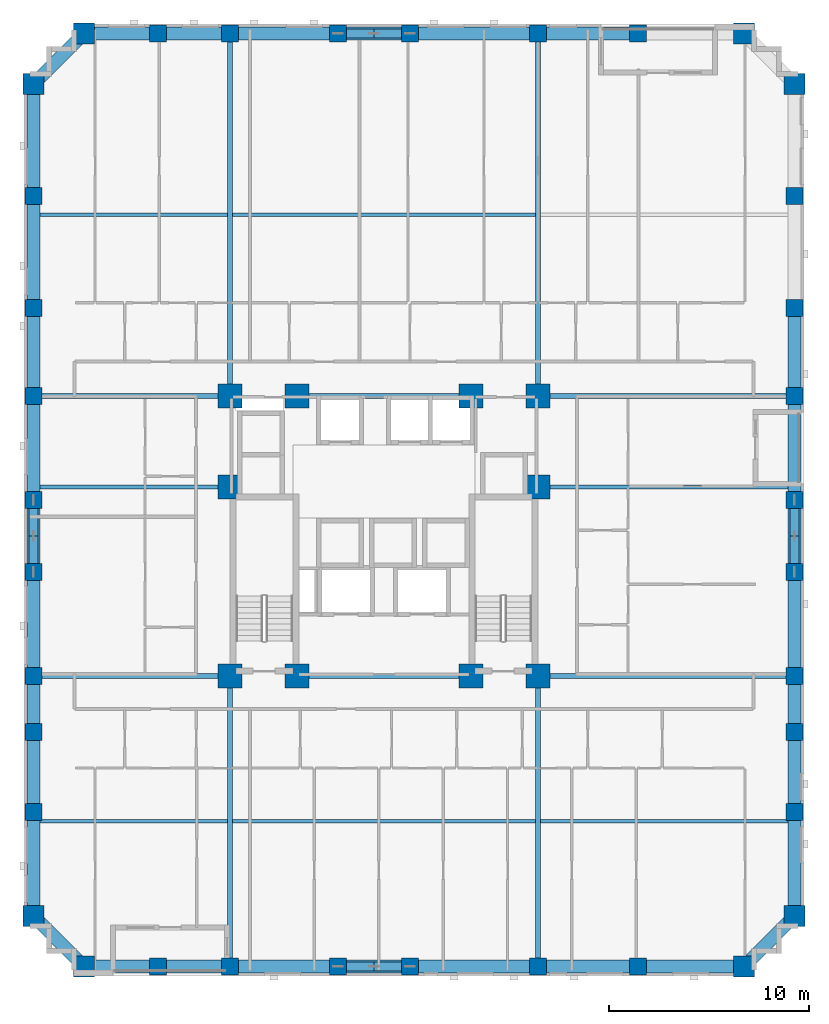
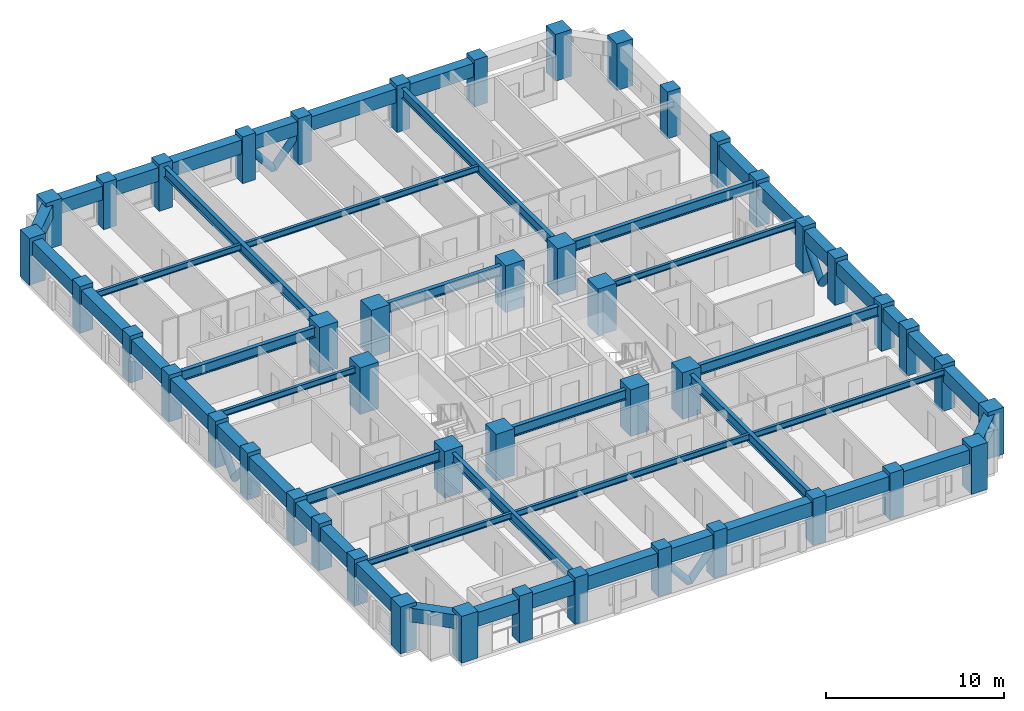
# One storey, part 1 of 14: 49 beams, 46 columns, 8 members.
"""IFC4 building model written with IfcOpenShell, lengths in metres."""

import ifcopenshell
import ifcopenshell.guid

model = None  # the IFC model being written
_history = None  # IfcOwnerHistory: only IFC2X3 demands one
_inside = {}  # id of a spatial element -> (the spatial element, [elements in it])
_under = {}  # id of a project, library or spatial element -> (it, [spatial elements below it])
_declared = {}  # id of a project -> (the project, [libraries it declares])
_typed = {}  # id of a type object -> (the type object, [elements of that type])
_made_of = {}  # id of a material, layer set ... -> (it, [elements and type objects made of it])


def new_model(schema):
    """Start an empty IFC model of exactly this schema.

    Asked for "IFC4X3", IfcOpenShell would pick the latest addendum, in which some entities
    have other attributes; the version numbers below select the first issue.
    IFC2X3 requires an IfcOwnerHistory on every rooted entity: one is made here for all.
    """
    global model, _history
    if schema == "IFC4X3":
        model = ifcopenshell.file(schema_version=(4, 3, 0, 0))
    else:
        model = ifcopenshell.file(schema=schema)
    _inside.clear()
    _under.clear()
    _declared.clear()
    _typed.clear()
    _made_of.clear()
    _history = None
    if model.schema == "IFC2X3":
        org = make("IfcOrganization", Name="unknown")
        user = make(
            "IfcPersonAndOrganization",
            ThePerson=make("IfcPerson", FamilyName="unknown"),
            TheOrganization=org,
        )
        app = make(
            "IfcApplication",
            ApplicationDeveloper=org,
            Version="unknown",
            ApplicationFullName="unknown",
            ApplicationIdentifier="unknown",
        )
        _history = make(
            "IfcOwnerHistory",
            OwningUser=user,
            OwningApplication=app,
            ChangeAction="ADDED",
            CreationDate=0,
        )
    return model


def make(cls, **values):
    """One entity of the class cls with the attributes given. An attribute that is None is left unset."""
    return model.create_entity(
        cls, **{name: value for name, value in values.items() if value is not None}
    )


def rooted(cls, **values):
    """An entity with a GlobalId (a new one), such as an element, a storey or a relation."""
    return make(cls, GlobalId=ifcopenshell.guid.new(), OwnerHistory=_history, **values)


def si_unit(unit_type, name, prefix=None):
    """IfcSIUnit, for example si_unit("LENGTHUNIT", "METRE", prefix="MILLI")."""
    return make("IfcSIUnit", UnitType=unit_type, Prefix=prefix, Name=name)


def derived_unit(unit_type, elements):
    """IfcDerivedUnit: a product of units, each with its exponent."""
    return make(
        "IfcDerivedUnit",
        Elements=[
            make("IfcDerivedUnitElement", Unit=unit, Exponent=power)
            for unit, power in elements
        ],
        UnitType=unit_type,
    )


def assignment(units):
    """IfcUnitAssignment: the units of a project."""
    return None if units is None else make("IfcUnitAssignment", Units=units)


def point(xyz):
    """IfcCartesianPoint."""
    return None if xyz is None else make("IfcCartesianPoint", Coordinates=xyz)


def direction(xyz):
    """IfcDirection."""
    return None if xyz is None else make("IfcDirection", DirectionRatios=xyz)


def frame(location, z_axis=None, x_axis=None):
    """IfcAxis2Placement3D, a coordinate frame: its origin and axes. An axis left out is left unset."""
    return make(
        "IfcAxis2Placement3D",
        Location=point(location),
        Axis=direction(z_axis),
        RefDirection=direction(x_axis),
    )


def frame_2d(location, x_axis=None):
    """IfcAxis2Placement2D, a coordinate frame in the plane: its origin and x axis."""
    return make(
        "IfcAxis2Placement2D", Location=point(location), RefDirection=direction(x_axis)
    )


def origin():
    """The frame at (0, 0, 0) with its axes left unset."""
    return frame((0.0, 0.0, 0.0))


def origin_2d():
    """The frame at (0, 0) in the plane with its x axis left unset."""
    return frame_2d((0.0, 0.0))


def place(relative_to, where):
    """IfcLocalPlacement: puts the frame where relative to a parent placement (None: the world)."""
    return make(
        "IfcLocalPlacement", PlacementRelTo=relative_to, RelativePlacement=where
    )


def context(
    kind, dimensions, precision=None, world=None, true_north=None, identifier=None
):
    """IfcGeometricRepresentationContext, for example the 3D "Model" context."""
    return make(
        "IfcGeometricRepresentationContext",
        ContextIdentifier=identifier,
        ContextType=kind,
        CoordinateSpaceDimension=dimensions,
        Precision=precision,
        WorldCoordinateSystem=world,
        TrueNorth=true_north,
    )


def subcontext(parent, identifier, kind, view, scale=None):
    """IfcGeometricRepresentationSubContext, for example "Body" below "Model"."""
    return make(
        "IfcGeometricRepresentationSubContext",
        ContextIdentifier=identifier,
        ContextType=kind,
        ParentContext=parent,
        TargetScale=scale,
        TargetView=view,
    )


def project(units=None, contexts=None):
    """IfcProject with its units and contexts."""
    return rooted(
        "IfcProject",
        Name="project",
        RepresentationContexts=contexts,
        UnitsInContext=assignment(units),
    )


def spatial(cls, under=None, at=None, **own):
    """A site, building, storey or space (cls), placed at a placement, below another one or the project."""
    s = rooted(cls, ObjectPlacement=at, **own)
    if under is not None:
        _under.setdefault(under.id(), (under, []))[1].append(s)
    return s


def profile(cls, at=None, kind="AREA", **sizes):
    """A parametric profile (cls). Its sizes go by their IFC names, for example OverallWidth=200.0."""
    return make(cls, ProfileType=kind, Position=at, **sizes)


def rectangle(**sizes):
    """IfcRectangleProfileDef."""
    return profile("IfcRectangleProfileDef", **sizes)


def hollow_circle(**sizes):
    """IfcCircleHollowProfileDef."""
    return profile("IfcCircleHollowProfileDef", **sizes)


def i_section(**sizes):
    """IfcIShapeProfileDef."""
    return profile("IfcIShapeProfileDef", **sizes)


def extrude(swept, where, along, depth):
    """IfcExtrudedAreaSolid: the profile swept, set in the frame where, extruded along a direction by depth."""
    return make(
        "IfcExtrudedAreaSolid",
        SweptArea=swept,
        Position=where,
        ExtrudedDirection=direction(along),
        Depth=depth,
    )


def shape(context_of_items, identifier, shape_type, items):
    """IfcShapeRepresentation: the items that make up one representation, for example the "Body"."""
    return make(
        "IfcShapeRepresentation",
        ContextOfItems=context_of_items,
        RepresentationIdentifier=identifier,
        RepresentationType=shape_type,
        Items=items,
    )


def material(Name=None, Category=None):
    """IfcMaterial."""
    return make("IfcMaterial", Name=Name, Category=Category)


def material_profile(
    of_material, cross_section, Name=None, Category=None, Priority=None
):
    """IfcMaterialProfile: a cross section and its material."""
    return make(
        "IfcMaterialProfile",
        Name=Name,
        Material=of_material,
        Profile=cross_section,
        Priority=Priority,
        Category=Category,
    )


def profile_set(profiles, Name=None, composite=None):
    """IfcMaterialProfileSet."""
    return make(
        "IfcMaterialProfileSet",
        Name=Name,
        MaterialProfiles=profiles,
        CompositeProfile=composite,
    )


def made_of(thing, what):
    """Note that an element or type object is made of a material, layer set ...; save() writes the relation."""
    if what is not None:
        _made_of.setdefault(what.id(), (what, []))[1].append(thing)
    return thing


def type_object(cls, material=None, **own):
    """A type object (cls), such as IfcWallType, which elements share."""
    return made_of(rooted(cls, **own), material)


def element(
    cls,
    number,
    at=None,
    inside=None,
    cuts=None,
    type_object=None,
    material=None,
    context=None,
    identifier="Body",
    shape_type=None,
    held_by="IfcProductDefinitionShape",
    body=None,
    shapes=None,
    **own,
):
    """One element of the class cls, such as IfcWall. Its Tag is "e" and its number.

    at: its placement. inside: the storey or other place that contains it. cuts: it is an
    opening in that element (IfcRelVoidsElement). A single representation is given by context,
    identifier, shape_type and body (its items); several are given by shapes. held_by: the class
    of the entity that holds the representations. save() writes the other relations.
    """
    e = rooted(cls, Tag="e%d" % number, ObjectPlacement=at, **own)
    if body is not None:
        shapes = [shape(context, identifier, shape_type, body)]
    if shapes is not None:
        e.Representation = make(held_by, Representations=shapes)
    if inside is not None:
        _inside.setdefault(inside.id(), (inside, []))[1].append(e)
    if cuts is not None:
        rooted(
            "IfcRelVoidsElement", RelatingBuildingElement=cuts, RelatedOpeningElement=e
        )
    if type_object is not None:
        _typed.setdefault(type_object.id(), (type_object, []))[1].append(e)
    return made_of(e, material)


def aggregate(whole, parts):
    """IfcRelAggregates: a whole, such as a stair, and the parts it consists of."""
    return rooted("IfcRelAggregates", RelatingObject=whole, RelatedObjects=parts)


def save(model, path):
    """Write the relations noted so far, then the file.

    IfcRelAggregates (storeys below a building ...), IfcRelContainedInSpatialStructure (elements
    in a storey), IfcRelDefinesByType, IfcRelAssociatesMaterial and IfcRelDeclares: one each for
    every whole, place, type object, material and project.
    """
    for whole, parts in _under.values():
        aggregate(whole, parts)
    for where, things in _inside.values():
        rooted(
            "IfcRelContainedInSpatialStructure",
            RelatedElements=things,
            RelatingStructure=where,
        )
    for kind, things in _typed.values():
        rooted("IfcRelDefinesByType", RelatedObjects=things, RelatingType=kind)
    for what, things in _made_of.values():
        rooted("IfcRelAssociatesMaterial", RelatedObjects=things, RelatingMaterial=what)
    for by, libraries in _declared.values():
        rooted("IfcRelDeclares", RelatingContext=by, RelatedDefinitions=libraries)
    model.write(path)


model = new_model("IFC4")

# Units and contexts
model_context = context("Model", 3, precision=1e-05, world=origin(), true_north=direction((0.0, 1.0)))
body_context = subcontext(model_context, "Body", "Model", "MODEL_VIEW")
ifc_project = project(units=[si_unit("LENGTHUNIT", "METRE"), si_unit("AREAUNIT", "SQUARE_METRE"), si_unit("VOLUMEUNIT", "CUBIC_METRE"), si_unit("PLANEANGLEUNIT", "RADIAN"), si_unit("MASSUNIT", "GRAM", prefix="KILO"), derived_unit("THERMALTRANSMITTANCEUNIT", [(si_unit("MASSUNIT", "GRAM", prefix="KILO"), 1), (si_unit("TIMEUNIT", "SECOND"), -3), (si_unit("THERMODYNAMICTEMPERATUREUNIT", "KELVIN"), -1)])], contexts=[model_context])

# Site, building, storey
site_placement = place(None, origin())
site = spatial("IfcSite", under=ifc_project, at=site_placement, CompositionType="ELEMENT")
building_placement = place(site_placement, origin())
building = spatial("IfcBuilding", under=site, at=building_placement, Name="Korrvale Station Residences", CompositionType="ELEMENT")
storey_placement = place(building_placement, frame((0.0, 0.0, 64.199951171875)))
storey = spatial("IfcBuildingStorey", under=building, at=storey_placement, Name="L17", CompositionType="ELEMENT", Elevation=64.199951171875)

# Columns
ifc_material_1 = material(Name="Concrete C70/85", Category="concrete")
ifc_material_profile_1 = material_profile(ifc_material_1, rectangle(XDim=1.050048828125, YDim=1.050048828125, at=origin_2d()), Name="RC1050x1050")
ifc_profile_set_1 = profile_set([ifc_material_profile_1], Name="Concrete C70/85")
column_type_1 = type_object("IfcColumnType", Name="COL-C-RC1050x1050-C7085", PredefinedType="COLUMN", material=ifc_profile_set_1)
for number, where, z_axis, x_axis, name in (
    (1, (10.5, 0.47998046875, 0.0), (0.0, 0.0, 1.0), (1.0, 0.0, 0.0), "L17 Bundled-Tube South Column 01"),
    (2, (43.5, 0.47998046875, 0.0), (0.0, 0.0, 1.0), (1.0, 0.0, 0.0), "L17 Bundled-Tube South Column 08"),
    (3, (10.5, 47.1201171875, 0.0), (0.0, 0.0, 1.0), (1.0, 0.0, 0.0), "L17 Bundled-Tube North Column 09"),
    (4, (43.5, 47.1201171875, 0.0), (0.0, 0.0, 1.0), (1.0, 0.0, 0.0), "L17 Bundled-Tube North Column 16"),
    (5, (7.97998046875, 3.0, 0.0), (0.0, 0.0, 1.0), (1.0, 0.0, 0.0), "L17 Bundled-Tube West Column 17"),
    (6, (7.97998046875, 44.60009765625, 0.0), (0.0, 0.0, 1.0), (1.0, 0.0, 0.0), "L17 Bundled-Tube West Column 26"),
    (7, (46.02001953125, 3.0, 0.0), (0.0, 0.0, 1.0), (1.0, 0.0, 0.0), "L17 Bundled-Tube East Column 27"),
    (8, (46.02001953125, 44.60009765625, 0.0), (0.0, 0.0, 1.0), (1.0, 0.0, 0.0), "L17 Bundled-Tube East Column 36"),
):
    element("IfcColumn", number, at=place(storey_placement, frame(where, z_axis=z_axis, x_axis=x_axis)), inside=storey, type_object=column_type_1, Name=name, PredefinedType="COLUMN", context=body_context, shape_type="SweptSolid", body=[
        extrude(rectangle(XDim=1.050048828125, YDim=1.050048828125, at=origin_2d()), origin(), (0.0, 0.0, 1.0), 3.199951171875),
    ])
ifc_material_profile_2 = material_profile(ifc_material_1, rectangle(XDim=1.199951171875, YDim=1.199951171875, at=origin_2d()), Name="RC1200x1200")
ifc_profile_set_2 = profile_set([ifc_material_profile_2], Name="Concrete C70/85")
column_type_2 = type_object("IfcColumnType", Name="COL-C-RC1200x1200-C7085", PredefinedType="COLUMN", material=ifc_profile_set_2)
for number, where, z_axis, x_axis, name in (
    (9, (17.800048828125, 15.0, 0.0), (0.0, 0.0, 1.0), (1.0, 0.0, 0.0), "L17 Core Column 01"),
    (10, (21.14990234375, 15.0, 0.0), (0.0, 0.0, 1.0), (1.0, 0.0, 0.0), "L17 Core Column 02"),
    (11, (29.85009765625, 15.0, 0.0), (0.0, 0.0, 1.0), (1.0, 0.0, 0.0), "L17 Core Column 03"),
    (12, (33.199951171875, 15.0, 0.0), (0.0, 0.0, 1.0), (1.0, 0.0, 0.0), "L17 Core Column 04"),
    (13, (17.800048828125, 29.0, 0.0), (0.0, 0.0, 1.0), (1.0, 0.0, 0.0), "L17 Core Column 05"),
    (14, (21.14990234375, 29.0, 0.0), (0.0, 0.0, 1.0), (1.0, 0.0, 0.0), "L17 Core Column 06"),
    (15, (29.85009765625, 29.0, 0.0), (0.0, 0.0, 1.0), (1.0, 0.0, 0.0), "L17 Core Column 07"),
    (16, (33.199951171875, 29.0, 0.0), (0.0, 0.0, 1.0), (1.0, 0.0, 0.0), "L17 Core Column 08"),
    (17, (17.800048828125, 24.449951171875, 0.0), (0.0, 0.0, 1.0), (1.0, 0.0, 0.0), "L17 Core Column 09"),
    (18, (33.199951171875, 24.449951171875, 0.0), (0.0, 0.0, 1.0), (1.0, 0.0, 0.0), "L17 Core Column 10"),
):
    element("IfcColumn", number, at=place(storey_placement, frame(where, z_axis=z_axis, x_axis=x_axis)), inside=storey, type_object=column_type_2, Name=name, PredefinedType="COLUMN", context=body_context, shape_type="SweptSolid", body=[
        extrude(rectangle(XDim=1.199951171875, YDim=1.199951171875, at=origin_2d()), origin(), (0.0, 0.0, 1.0), 3.199951171875),
    ])
ifc_material_profile_3 = material_profile(ifc_material_1, rectangle(XDim=0.85009765625, YDim=0.85009765625, at=origin_2d()), Name="RC850x850")
ifc_profile_set_3 = profile_set([ifc_material_profile_3], Name="Concrete C70/85")
column_type_3 = type_object("IfcColumnType", Name="COL-C-RC850x850-C7085", PredefinedType="COLUMN", material=ifc_profile_set_3)
for number, where, z_axis, x_axis, name in (
    (19, (14.199951171875, 0.47998046875, 0.0), (0.0, 0.0, 1.0), (1.0, 0.0, 0.0), "L17 Bundled-Tube South Column 02"),
    (20, (17.800048828125, 0.47998046875, 0.0), (0.0, 0.0, 1.0), (1.0, 0.0, 0.0), "L17 Bundled-Tube South Column 03"),
    (21, (23.199951171875, 0.47998046875, 0.0), (0.0, 0.0, 1.0), (1.0, 0.0, 0.0), "L17 Bundled-Tube South Column 04"),
    (22, (26.800048828125, 0.47998046875, 0.0), (0.0, 0.0, 1.0), (1.0, 0.0, 0.0), "L17 Bundled-Tube South Column 05"),
    (23, (33.199951171875, 0.47998046875, 0.0), (0.0, 0.0, 1.0), (1.0, 0.0, 0.0), "L17 Bundled-Tube South Column 06"),
    (24, (38.199951171875, 0.47998046875, 0.0), (0.0, 0.0, 1.0), (1.0, 0.0, 0.0), "L17 Bundled-Tube South Column 07"),
    (25, (14.199951171875, 47.1201171875, 0.0), (0.0, 0.0, 1.0), (1.0, 0.0, 0.0), "L17 Bundled-Tube North Column 10"),
    (26, (17.800048828125, 47.1201171875, 0.0), (0.0, 0.0, 1.0), (1.0, 0.0, 0.0), "L17 Bundled-Tube North Column 11"),
    (27, (23.199951171875, 47.1201171875, 0.0), (0.0, 0.0, 1.0), (1.0, 0.0, 0.0), "L17 Bundled-Tube North Column 12"),
    (28, (26.800048828125, 47.1201171875, 0.0), (0.0, 0.0, 1.0), (1.0, 0.0, 0.0), "L17 Bundled-Tube North Column 13"),
    (29, (33.199951171875, 47.1201171875, 0.0), (0.0, 0.0, 1.0), (1.0, 0.0, 0.0), "L17 Bundled-Tube North Column 14"),
    (30, (38.199951171875, 47.1201171875, 0.0), (0.0, 0.0, 1.0), (1.0, 0.0, 0.0), "L17 Bundled-Tube North Column 15"),
    (31, (7.97998046875, 8.199951171875, 0.0), (0.0, 0.0, 1.0), (1.0, 0.0, 0.0), "L17 Bundled-Tube West Column 18"),
    (32, (7.97998046875, 12.199951171875, 0.0), (0.0, 0.0, 1.0), (1.0, 0.0, 0.0), "L17 Bundled-Tube West Column 19"),
    (33, (7.97998046875, 15.0, 0.0), (0.0, 0.0, 1.0), (1.0, 0.0, 0.0), "L17 Bundled-Tube West Column 20"),
    (34, (7.97998046875, 20.199951171875, 0.0), (0.0, 0.0, 1.0), (1.0, 0.0, 0.0), "L17 Bundled-Tube West Column 21"),
    (35, (7.97998046875, 23.800048828125, 0.0), (0.0, 0.0, 1.0), (1.0, 0.0, 0.0), "L17 Bundled-Tube West Column 22"),
    (36, (7.97998046875, 29.0, 0.0), (0.0, 0.0, 1.0), (1.0, 0.0, 0.0), "L17 Bundled-Tube West Column 23"),
    (37, (7.97998046875, 33.39990234375, 0.0), (0.0, 0.0, 1.0), (1.0, 0.0, 0.0), "L17 Bundled-Tube West Column 24"),
    (38, (7.97998046875, 39.0, 0.0), (0.0, 0.0, 1.0), (1.0, 0.0, 0.0), "L17 Bundled-Tube West Column 25"),
    (39, (46.02001953125, 8.199951171875, 0.0), (0.0, 0.0, 1.0), (1.0, 0.0, 0.0), "L17 Bundled-Tube East Column 28"),
    (40, (46.02001953125, 12.199951171875, 0.0), (0.0, 0.0, 1.0), (1.0, 0.0, 0.0), "L17 Bundled-Tube East Column 29"),
    (41, (46.02001953125, 15.0, 0.0), (0.0, 0.0, 1.0), (1.0, 0.0, 0.0), "L17 Bundled-Tube East Column 30"),
    (42, (46.02001953125, 20.199951171875, 0.0), (0.0, 0.0, 1.0), (1.0, 0.0, 0.0), "L17 Bundled-Tube East Column 31"),
    (43, (46.02001953125, 23.800048828125, 0.0), (0.0, 0.0, 1.0), (1.0, 0.0, 0.0), "L17 Bundled-Tube East Column 32"),
    (44, (46.02001953125, 29.0, 0.0), (0.0, 0.0, 1.0), (1.0, 0.0, 0.0), "L17 Bundled-Tube East Column 33"),
    (45, (46.02001953125, 33.39990234375, 0.0), (0.0, 0.0, 1.0), (1.0, 0.0, 0.0), "L17 Bundled-Tube East Column 34"),
    (46, (46.02001953125, 39.0, 0.0), (0.0, 0.0, 1.0), (1.0, 0.0, 0.0), "L17 Bundled-Tube East Column 35"),
):
    element("IfcColumn", number, at=place(storey_placement, frame(where, z_axis=z_axis, x_axis=x_axis)), inside=storey, type_object=column_type_3, Name=name, PredefinedType="COLUMN", context=body_context, shape_type="SweptSolid", body=[
        extrude(rectangle(XDim=0.85009765625, YDim=0.85009765625, at=origin_2d()), origin(), (0.0, 0.0, 1.0), 3.199951171875),
    ])

# Beams
ifc_material_2 = material(Name="Steel S355", Category="steel")
ifc_material_profile_4 = material_profile(ifc_material_2, i_section(OverallWidth=0.256103515625, OverallDepth=0.693115234375, WebThickness=0.014404296875, FlangeThickness=0.023681640625, FilletRadius=0.02197265625, at=origin_2d()), Name="W690x170")
ifc_profile_set_4 = profile_set([ifc_material_profile_4], Name="Steel S355")
beam_type_1 = type_object("IfcBeamType", Name="BM-BM-W690x170-S355", PredefinedType="BEAM", material=ifc_profile_set_4)
for number, where, z_axis, x_axis, name in (
    (47, (17.800048828125, 0.47998046875, 2.593505859375), (0.0, 1.0, 0.0), (-1.0, 0.0, 0.0), "L17 Bundled-Tube Web Girder 01"),
    (48, (33.199951171875, 0.47998046875, 2.593505859375), (0.0, 1.0, 0.0), (-1.0, 0.0, 0.0), "L17 Bundled-Tube Web Girder 02"),
):
    element("IfcBeam", number, at=place(storey_placement, frame(where, z_axis=z_axis, x_axis=x_axis)), inside=storey, type_object=beam_type_1, Name=name, PredefinedType="BEAM", context=body_context, shape_type="SweptSolid", body=[
        extrude(i_section(OverallWidth=0.256103515625, OverallDepth=0.693115234375, WebThickness=0.014404296875, FlangeThickness=0.023681640625, FilletRadius=0.02197265625, at=origin_2d()), origin(), (0.0, 0.0, 1.0), 14.52001953125),
    ])
for number, where, z_axis, x_axis, name in (
    (49, (17.800048828125, 29.0, 2.593505859375), (0.0, 1.0, 0.0), (-1.0, 0.0, 0.0), "L17 Bundled-Tube Web Girder 03"),
    (50, (33.199951171875, 29.0, 2.593505859375), (0.0, 1.0, 0.0), (-1.0, 0.0, 0.0), "L17 Bundled-Tube Web Girder 04"),
):
    element("IfcBeam", number, at=place(storey_placement, frame(where, z_axis=z_axis, x_axis=x_axis)), inside=storey, type_object=beam_type_1, Name=name, PredefinedType="BEAM", context=body_context, shape_type="SweptSolid", body=[
        extrude(i_section(OverallWidth=0.256103515625, OverallDepth=0.693115234375, WebThickness=0.014404296875, FlangeThickness=0.023681640625, FilletRadius=0.02197265625, at=origin_2d()), origin(), (0.0, 0.0, 1.0), 18.1201171875),
    ])
beam_1_placement = place(storey_placement, frame((7.97998046875, 15.0, 2.593505859375), z_axis=(1.0, 0.0, 0.0), x_axis=(0.0, 1.0, 0.0)))
element("IfcBeam", 51, at=beam_1_placement, inside=storey, type_object=beam_type_1, Name="L17 Bundled-Tube Web Girder 05", PredefinedType="BEAM", context=body_context, shape_type="SweptSolid", body=[
    extrude(i_section(OverallWidth=0.256103515625, OverallDepth=0.693115234375, WebThickness=0.014404296875, FlangeThickness=0.023681640625, FilletRadius=0.02197265625, at=origin_2d()), origin(), (0.0, 0.0, 1.0), 9.820068359375),
])
beam_2_placement = place(storey_placement, frame((33.199951171875, 15.0, 2.593505859375), z_axis=(1.0, 0.0, 0.0), x_axis=(0.0, 1.0, 0.0)))
element("IfcBeam", 52, at=beam_2_placement, inside=storey, type_object=beam_type_1, Name="L17 Bundled-Tube Web Girder 06", PredefinedType="BEAM", context=body_context, shape_type="SweptSolid", body=[
    extrude(i_section(OverallWidth=0.256103515625, OverallDepth=0.693115234375, WebThickness=0.014404296875, FlangeThickness=0.023681640625, FilletRadius=0.02197265625, at=origin_2d()), origin(), (0.0, 0.0, 1.0), 12.820068359375),
])
beam_3_placement = place(storey_placement, frame((7.97998046875, 29.0, 2.593505859375), z_axis=(1.0, 0.0, 0.0), x_axis=(0.0, 1.0, 0.0)))
element("IfcBeam", 53, at=beam_3_placement, inside=storey, type_object=beam_type_1, Name="L17 Bundled-Tube Web Girder 07", PredefinedType="BEAM", context=body_context, shape_type="SweptSolid", body=[
    extrude(i_section(OverallWidth=0.256103515625, OverallDepth=0.693115234375, WebThickness=0.014404296875, FlangeThickness=0.023681640625, FilletRadius=0.02197265625, at=origin_2d()), origin(), (0.0, 0.0, 1.0), 9.820068359375),
])
beam_4_placement = place(storey_placement, frame((33.199951171875, 29.0, 2.593505859375), z_axis=(1.0, 0.0, 0.0), x_axis=(0.0, 1.0, 0.0)))
element("IfcBeam", 54, at=beam_4_placement, inside=storey, type_object=beam_type_1, Name="L17 Bundled-Tube Web Girder 08", PredefinedType="BEAM", context=body_context, shape_type="SweptSolid", body=[
    extrude(i_section(OverallWidth=0.256103515625, OverallDepth=0.693115234375, WebThickness=0.014404296875, FlangeThickness=0.023681640625, FilletRadius=0.02197265625, at=origin_2d()), origin(), (0.0, 0.0, 1.0), 12.820068359375),
])
for number, where, z_axis, x_axis, name in (
    (55, (21.14990234375, 15.0, 2.593505859375), (1.0, 0.0, 0.0), (0.0, 1.0, 0.0), "L17 Bundled-Tube Web Girder 09"),
    (56, (21.14990234375, 29.0, 2.593505859375), (1.0, 0.0, 0.0), (0.0, 1.0, 0.0), "L17 Bundled-Tube Web Girder 10"),
):
    element("IfcBeam", number, at=place(storey_placement, frame(where, z_axis=z_axis, x_axis=x_axis)), inside=storey, type_object=beam_type_1, Name=name, PredefinedType="BEAM", context=body_context, shape_type="SweptSolid", body=[
        extrude(i_section(OverallWidth=0.256103515625, OverallDepth=0.693115234375, WebThickness=0.014404296875, FlangeThickness=0.023681640625, FilletRadius=0.02197265625, at=origin_2d()), origin(), (0.0, 0.0, 1.0), 8.7001953125),
    ])
ifc_material_profile_5 = material_profile(ifc_material_2, i_section(OverallWidth=0.180908203125, OverallDepth=0.4169921875, WebThickness=0.010986328125, FlangeThickness=0.018310546875, FilletRadius=0.01611328125, at=origin_2d()), Name="W410x85")
ifc_profile_set_5 = profile_set([ifc_material_profile_5], Name="Steel S355")
beam_type_2 = type_object("IfcBeamType", Name="BM-JST-W410x85-S355", PredefinedType="JOIST", material=ifc_profile_set_5)
beam_5_placement = place(storey_placement, frame((8.304931640625, 7.739990234375, 2.7314453125), z_axis=(1.0, 0.0, 0.0), x_axis=(0.0, 1.0, 0.0)))
element("IfcBeam", 57, at=beam_5_placement, inside=storey, type_object=beam_type_2, Name="L17 Floor Framing Joist 01", PredefinedType="JOIST", context=body_context, shape_type="SweptSolid", body=[
    extrude(i_section(OverallWidth=0.180908203125, OverallDepth=0.4169921875, WebThickness=0.010986328125, FlangeThickness=0.018310546875, FilletRadius=0.01611328125, at=origin_2d()), origin(), (0.0, 0.0, 1.0), 9.3671875),
])
beam_6_placement = place(storey_placement, frame((17.927978515625, 7.739990234375, 2.7314453125), z_axis=(1.0, 0.0, 0.0), x_axis=(0.0, 1.0, 0.0)))
element("IfcBeam", 58, at=beam_6_placement, inside=storey, type_object=beam_type_2, Name="L17 Floor Framing Joist 02", PredefinedType="JOIST", context=body_context, shape_type="SweptSolid", body=[
    extrude(i_section(OverallWidth=0.180908203125, OverallDepth=0.4169921875, WebThickness=0.010986328125, FlangeThickness=0.018310546875, FilletRadius=0.01611328125, at=origin_2d()), origin(), (0.0, 0.0, 1.0), 15.14404296875),
])
beam_7_placement = place(storey_placement, frame((33.327880859375, 7.739990234375, 2.7314453125), z_axis=(1.0, 0.0, 0.0), x_axis=(0.0, 1.0, 0.0)))
element("IfcBeam", 59, at=beam_7_placement, inside=storey, type_object=beam_type_2, Name="L17 Floor Framing Joist 03", PredefinedType="JOIST", context=body_context, shape_type="SweptSolid", body=[
    extrude(i_section(OverallWidth=0.180908203125, OverallDepth=0.4169921875, WebThickness=0.010986328125, FlangeThickness=0.018310546875, FilletRadius=0.01611328125, at=origin_2d()), origin(), (0.0, 0.0, 1.0), 12.3671875),
])
beam_8_placement = place(storey_placement, frame((8.304931640625, 38.06005859375, 2.7314453125), z_axis=(1.0, 0.0, 0.0), x_axis=(0.0, 1.0, 0.0)))
element("IfcBeam", 60, at=beam_8_placement, inside=storey, type_object=beam_type_2, Name="L17 Floor Framing Joist 04", PredefinedType="JOIST", context=body_context, shape_type="SweptSolid", body=[
    extrude(i_section(OverallWidth=0.180908203125, OverallDepth=0.4169921875, WebThickness=0.010986328125, FlangeThickness=0.018310546875, FilletRadius=0.01611328125, at=origin_2d()), origin(), (0.0, 0.0, 1.0), 9.3671875),
])
beam_9_placement = place(storey_placement, frame((17.927978515625, 38.06005859375, 2.7314453125), z_axis=(1.0, 0.0, 0.0), x_axis=(0.0, 1.0, 0.0)))
element("IfcBeam", 61, at=beam_9_placement, inside=storey, type_object=beam_type_2, Name="L17 Floor Framing Joist 05", PredefinedType="JOIST", context=body_context, shape_type="SweptSolid", body=[
    extrude(i_section(OverallWidth=0.180908203125, OverallDepth=0.4169921875, WebThickness=0.010986328125, FlangeThickness=0.018310546875, FilletRadius=0.01611328125, at=origin_2d()), origin(), (0.0, 0.0, 1.0), 15.14404296875),
])
beam_10_placement = place(storey_placement, frame((33.199951171875, 24.449951171875, 2.7314453125), z_axis=(1.0, 0.0, 0.0), x_axis=(0.0, 1.0, 0.0)))
element("IfcBeam", 62, at=beam_10_placement, inside=storey, type_object=beam_type_2, Name="L17 Floor Framing Joist 07", PredefinedType="JOIST", context=body_context, shape_type="SweptSolid", body=[
    extrude(i_section(OverallWidth=0.180908203125, OverallDepth=0.4169921875, WebThickness=0.010986328125, FlangeThickness=0.018310546875, FilletRadius=0.01611328125, at=origin_2d()), origin(), (0.0, 0.0, 1.0), 12.4951171875),
])
beam_11_placement = place(storey_placement, frame((8.304931640625, 24.449951171875, 2.7314453125), z_axis=(1.0, 0.0, 0.0), x_axis=(0.0, 1.0, 0.0)))
element("IfcBeam", 63, at=beam_11_placement, inside=storey, type_object=beam_type_2, Name="L17 Floor Framing Joist 08", PredefinedType="JOIST", context=body_context, shape_type="SweptSolid", body=[
    extrude(i_section(OverallWidth=0.180908203125, OverallDepth=0.4169921875, WebThickness=0.010986328125, FlangeThickness=0.018310546875, FilletRadius=0.01611328125, at=origin_2d()), origin(), (0.0, 0.0, 1.0), 9.4951171875),
])
ifc_material_profile_6 = material_profile(ifc_material_1, rectangle(XDim=0.64990234375, YDim=0.949951171875, at=origin_2d()), Name="RCB650x950")
ifc_profile_set_6 = profile_set([ifc_material_profile_6], Name="Concrete C70/85")
beam_type_3 = type_object("IfcBeamType", Name="BM-SPB-RCB650x950-C7085", PredefinedType="SPANDREL", material=ifc_profile_set_6)
beam_12_placement = place(storey_placement, frame((10.5, 0.47998046875, 2.465087890625), z_axis=(1.0, 0.0, 0.0), x_axis=(0.0, 1.0, 0.0)))
element("IfcBeam", 64, at=beam_12_placement, inside=storey, type_object=beam_type_3, Name="L17 South Tube Spandrel 01", PredefinedType="SPANDREL", context=body_context, shape_type="SweptSolid", body=[
    extrude(rectangle(XDim=0.64990234375, YDim=0.949951171875, at=origin_2d()), origin(), (0.0, 0.0, 1.0), 3.699951171875),
])
beam_13_placement = place(storey_placement, frame((14.199951171875, 0.47998046875, 2.465087890625), z_axis=(1.0, 0.0, 0.0), x_axis=(0.0, 1.0, 0.0)))
element("IfcBeam", 65, at=beam_13_placement, inside=storey, type_object=beam_type_3, Name="L17 South Tube Spandrel 02", PredefinedType="SPANDREL", context=body_context, shape_type="SweptSolid", body=[
    extrude(rectangle(XDim=0.64990234375, YDim=0.949951171875, at=origin_2d()), origin(), (0.0, 0.0, 1.0), 3.60009765625),
])
beam_14_placement = place(storey_placement, frame((17.800048828125, 0.47998046875, 2.465087890625), z_axis=(1.0, 0.0, 0.0), x_axis=(0.0, 1.0, 0.0)))
element("IfcBeam", 66, at=beam_14_placement, inside=storey, type_object=beam_type_3, Name="L17 South Tube Spandrel 03", PredefinedType="SPANDREL", context=body_context, shape_type="SweptSolid", body=[
    extrude(rectangle(XDim=0.64990234375, YDim=0.949951171875, at=origin_2d()), origin(), (0.0, 0.0, 1.0), 5.39990234375),
])
beam_15_placement = place(storey_placement, frame((23.199951171875, 0.47998046875, 2.465087890625), z_axis=(1.0, 0.0, 0.0), x_axis=(0.0, 1.0, 0.0)))
element("IfcBeam", 67, at=beam_15_placement, inside=storey, type_object=beam_type_3, Name="L17 South Tube Spandrel 04", PredefinedType="SPANDREL", context=body_context, shape_type="SweptSolid", body=[
    extrude(rectangle(XDim=0.64990234375, YDim=0.949951171875, at=origin_2d()), origin(), (0.0, 0.0, 1.0), 3.60009765625),
])
beam_16_placement = place(storey_placement, frame((26.800048828125, 0.47998046875, 2.465087890625), z_axis=(1.0, 0.0, 0.0), x_axis=(0.0, 1.0, 0.0)))
element("IfcBeam", 68, at=beam_16_placement, inside=storey, type_object=beam_type_3, Name="L17 South Tube Spandrel 05", PredefinedType="SPANDREL", context=body_context, shape_type="SweptSolid", body=[
    extrude(rectangle(XDim=0.64990234375, YDim=0.949951171875, at=origin_2d()), origin(), (0.0, 0.0, 1.0), 6.39990234375),
])
beam_17_placement = place(storey_placement, frame((33.199951171875, 0.47998046875, 2.465087890625), z_axis=(1.0, 0.0, 0.0), x_axis=(0.0, 1.0, 0.0)))
element("IfcBeam", 69, at=beam_17_placement, inside=storey, type_object=beam_type_3, Name="L17 South Tube Spandrel 06", PredefinedType="SPANDREL", context=body_context, shape_type="SweptSolid", body=[
    extrude(rectangle(XDim=0.64990234375, YDim=0.949951171875, at=origin_2d()), origin(), (0.0, 0.0, 1.0), 5.0),
])
beam_18_placement = place(storey_placement, frame((38.199951171875, 0.47998046875, 2.465087890625), z_axis=(1.0, 0.0, 0.0), x_axis=(0.0, 1.0, 0.0)))
element("IfcBeam", 70, at=beam_18_placement, inside=storey, type_object=beam_type_3, Name="L17 South Tube Spandrel 07", PredefinedType="SPANDREL", context=body_context, shape_type="SweptSolid", body=[
    extrude(rectangle(XDim=0.64990234375, YDim=0.949951171875, at=origin_2d()), origin(), (0.0, 0.0, 1.0), 5.300048828125),
])
beam_19_placement = place(storey_placement, frame((10.5, 47.1201171875, 2.465087890625), z_axis=(1.0, 0.0, 0.0), x_axis=(0.0, 1.0, 0.0)))
element("IfcBeam", 71, at=beam_19_placement, inside=storey, type_object=beam_type_3, Name="L17 North Tube Spandrel 08", PredefinedType="SPANDREL", context=body_context, shape_type="SweptSolid", body=[
    extrude(rectangle(XDim=0.64990234375, YDim=0.949951171875, at=origin_2d()), origin(), (0.0, 0.0, 1.0), 3.699951171875),
])
beam_20_placement = place(storey_placement, frame((14.199951171875, 47.1201171875, 2.465087890625), z_axis=(1.0, 0.0, 0.0), x_axis=(0.0, 1.0, 0.0)))
element("IfcBeam", 72, at=beam_20_placement, inside=storey, type_object=beam_type_3, Name="L17 North Tube Spandrel 09", PredefinedType="SPANDREL", context=body_context, shape_type="SweptSolid", body=[
    extrude(rectangle(XDim=0.64990234375, YDim=0.949951171875, at=origin_2d()), origin(), (0.0, 0.0, 1.0), 3.60009765625),
])
beam_21_placement = place(storey_placement, frame((17.800048828125, 47.1201171875, 2.465087890625), z_axis=(1.0, 0.0, 0.0), x_axis=(0.0, 1.0, 0.0)))
element("IfcBeam", 73, at=beam_21_placement, inside=storey, type_object=beam_type_3, Name="L17 North Tube Spandrel 10", PredefinedType="SPANDREL", context=body_context, shape_type="SweptSolid", body=[
    extrude(rectangle(XDim=0.64990234375, YDim=0.949951171875, at=origin_2d()), origin(), (0.0, 0.0, 1.0), 5.39990234375),
])
beam_22_placement = place(storey_placement, frame((23.199951171875, 47.1201171875, 2.465087890625), z_axis=(1.0, 0.0, 0.0), x_axis=(0.0, 1.0, 0.0)))
element("IfcBeam", 74, at=beam_22_placement, inside=storey, type_object=beam_type_3, Name="L17 North Tube Spandrel 11", PredefinedType="SPANDREL", context=body_context, shape_type="SweptSolid", body=[
    extrude(rectangle(XDim=0.64990234375, YDim=0.949951171875, at=origin_2d()), origin(), (0.0, 0.0, 1.0), 3.60009765625),
])
beam_23_placement = place(storey_placement, frame((26.800048828125, 47.1201171875, 2.465087890625), z_axis=(1.0, 0.0, 0.0), x_axis=(0.0, 1.0, 0.0)))
element("IfcBeam", 75, at=beam_23_placement, inside=storey, type_object=beam_type_3, Name="L17 North Tube Spandrel 12", PredefinedType="SPANDREL", context=body_context, shape_type="SweptSolid", body=[
    extrude(rectangle(XDim=0.64990234375, YDim=0.949951171875, at=origin_2d()), origin(), (0.0, 0.0, 1.0), 6.39990234375),
])
beam_24_placement = place(storey_placement, frame((33.199951171875, 47.1201171875, 2.465087890625), z_axis=(1.0, 0.0, 0.0), x_axis=(0.0, 1.0, 0.0)))
element("IfcBeam", 76, at=beam_24_placement, inside=storey, type_object=beam_type_3, Name="L17 North Tube Spandrel 13", PredefinedType="SPANDREL", context=body_context, shape_type="SweptSolid", body=[
    extrude(rectangle(XDim=0.64990234375, YDim=0.949951171875, at=origin_2d()), origin(), (0.0, 0.0, 1.0), 5.0),
])
beam_25_placement = place(storey_placement, frame((7.97998046875, 3.0, 2.465087890625), z_axis=(0.0, 1.0, 0.0), x_axis=(-1.0, 0.0, 0.0)))
element("IfcBeam", 77, at=beam_25_placement, inside=storey, type_object=beam_type_3, Name="L17 West Tube Spandrel 15", PredefinedType="SPANDREL", context=body_context, shape_type="SweptSolid", body=[
    extrude(rectangle(XDim=0.64990234375, YDim=0.949951171875, at=origin_2d()), origin(), (0.0, 0.0, 1.0), 5.199951171875),
])
beam_26_placement = place(storey_placement, frame((7.97998046875, 8.199951171875, 2.465087890625), z_axis=(0.0, 1.0, 0.0), x_axis=(-1.0, 0.0, 0.0)))
element("IfcBeam", 78, at=beam_26_placement, inside=storey, type_object=beam_type_3, Name="L17 West Tube Spandrel 16", PredefinedType="SPANDREL", context=body_context, shape_type="SweptSolid", body=[
    extrude(rectangle(XDim=0.64990234375, YDim=0.949951171875, at=origin_2d()), origin(), (0.0, 0.0, 1.0), 4.0),
])
beam_27_placement = place(storey_placement, frame((7.97998046875, 12.199951171875, 2.465087890625), z_axis=(0.0, 1.0, 0.0), x_axis=(-1.0, 0.0, 0.0)))
element("IfcBeam", 79, at=beam_27_placement, inside=storey, type_object=beam_type_3, Name="L17 West Tube Spandrel 17", PredefinedType="SPANDREL", context=body_context, shape_type="SweptSolid", body=[
    extrude(rectangle(XDim=0.64990234375, YDim=0.949951171875, at=origin_2d()), origin(), (0.0, 0.0, 1.0), 2.800048828125),
])
beam_28_placement = place(storey_placement, frame((7.97998046875, 15.0, 2.465087890625), z_axis=(0.0, 1.0, 0.0), x_axis=(-1.0, 0.0, 0.0)))
element("IfcBeam", 80, at=beam_28_placement, inside=storey, type_object=beam_type_3, Name="L17 West Tube Spandrel 18", PredefinedType="SPANDREL", context=body_context, shape_type="SweptSolid", body=[
    extrude(rectangle(XDim=0.64990234375, YDim=0.949951171875, at=origin_2d()), origin(), (0.0, 0.0, 1.0), 5.199951171875),
])
beam_29_placement = place(storey_placement, frame((7.97998046875, 20.199951171875, 2.465087890625), z_axis=(0.0, 1.0, 0.0), x_axis=(-1.0, 0.0, 0.0)))
element("IfcBeam", 81, at=beam_29_placement, inside=storey, type_object=beam_type_3, Name="L17 West Tube Spandrel 19", PredefinedType="SPANDREL", context=body_context, shape_type="SweptSolid", body=[
    extrude(rectangle(XDim=0.64990234375, YDim=0.949951171875, at=origin_2d()), origin(), (0.0, 0.0, 1.0), 3.60009765625),
])
beam_30_placement = place(storey_placement, frame((7.97998046875, 23.800048828125, 2.465087890625), z_axis=(0.0, 1.0, 0.0), x_axis=(-1.0, 0.0, 0.0)))
element("IfcBeam", 82, at=beam_30_placement, inside=storey, type_object=beam_type_3, Name="L17 West Tube Spandrel 20", PredefinedType="SPANDREL", context=body_context, shape_type="SweptSolid", body=[
    extrude(rectangle(XDim=0.64990234375, YDim=0.949951171875, at=origin_2d()), origin(), (0.0, 0.0, 1.0), 5.199951171875),
])
beam_31_placement = place(storey_placement, frame((7.97998046875, 29.0, 2.465087890625), z_axis=(0.0, 1.0, 0.0), x_axis=(-1.0, 0.0, 0.0)))
element("IfcBeam", 83, at=beam_31_placement, inside=storey, type_object=beam_type_3, Name="L17 West Tube Spandrel 21", PredefinedType="SPANDREL", context=body_context, shape_type="SweptSolid", body=[
    extrude(rectangle(XDim=0.64990234375, YDim=0.949951171875, at=origin_2d()), origin(), (0.0, 0.0, 1.0), 4.39990234375),
])
for number, where, z_axis, x_axis, name in (
    (84, (7.97998046875, 33.39990234375, 2.465087890625), (0.0, 1.0, 0.0), (-1.0, 0.0, 0.0), "L17 West Tube Spandrel 22"),
    (85, (7.97998046875, 39.0, 2.465087890625), (0.0, 1.0, 0.0), (-1.0, 0.0, 0.0), "L17 West Tube Spandrel 23"),
):
    element("IfcBeam", number, at=place(storey_placement, frame(where, z_axis=z_axis, x_axis=x_axis)), inside=storey, type_object=beam_type_3, Name=name, PredefinedType="SPANDREL", context=body_context, shape_type="SweptSolid", body=[
        extrude(rectangle(XDim=0.64990234375, YDim=0.949951171875, at=origin_2d()), origin(), (0.0, 0.0, 1.0), 5.60009765625),
    ])
beam_32_placement = place(storey_placement, frame((46.02001953125, 3.0, 2.465087890625), z_axis=(0.0, 1.0, 0.0), x_axis=(-1.0, 0.0, 0.0)))
element("IfcBeam", 86, at=beam_32_placement, inside=storey, type_object=beam_type_3, Name="L17 East Tube Spandrel 24", PredefinedType="SPANDREL", context=body_context, shape_type="SweptSolid", body=[
    extrude(rectangle(XDim=0.64990234375, YDim=0.949951171875, at=origin_2d()), origin(), (0.0, 0.0, 1.0), 5.199951171875),
])
beam_33_placement = place(storey_placement, frame((46.02001953125, 8.199951171875, 2.465087890625), z_axis=(0.0, 1.0, 0.0), x_axis=(-1.0, 0.0, 0.0)))
element("IfcBeam", 87, at=beam_33_placement, inside=storey, type_object=beam_type_3, Name="L17 East Tube Spandrel 25", PredefinedType="SPANDREL", context=body_context, shape_type="SweptSolid", body=[
    extrude(rectangle(XDim=0.64990234375, YDim=0.949951171875, at=origin_2d()), origin(), (0.0, 0.0, 1.0), 4.0),
])
beam_34_placement = place(storey_placement, frame((46.02001953125, 12.199951171875, 2.465087890625), z_axis=(0.0, 1.0, 0.0), x_axis=(-1.0, 0.0, 0.0)))
element("IfcBeam", 88, at=beam_34_placement, inside=storey, type_object=beam_type_3, Name="L17 East Tube Spandrel 26", PredefinedType="SPANDREL", context=body_context, shape_type="SweptSolid", body=[
    extrude(rectangle(XDim=0.64990234375, YDim=0.949951171875, at=origin_2d()), origin(), (0.0, 0.0, 1.0), 2.800048828125),
])
beam_35_placement = place(storey_placement, frame((46.02001953125, 15.0, 2.465087890625), z_axis=(0.0, 1.0, 0.0), x_axis=(-1.0, 0.0, 0.0)))
element("IfcBeam", 89, at=beam_35_placement, inside=storey, type_object=beam_type_3, Name="L17 East Tube Spandrel 27", PredefinedType="SPANDREL", context=body_context, shape_type="SweptSolid", body=[
    extrude(rectangle(XDim=0.64990234375, YDim=0.949951171875, at=origin_2d()), origin(), (0.0, 0.0, 1.0), 5.199951171875),
])
beam_36_placement = place(storey_placement, frame((46.02001953125, 20.199951171875, 2.465087890625), z_axis=(0.0, 1.0, 0.0), x_axis=(-1.0, 0.0, 0.0)))
element("IfcBeam", 90, at=beam_36_placement, inside=storey, type_object=beam_type_3, Name="L17 East Tube Spandrel 28", PredefinedType="SPANDREL", context=body_context, shape_type="SweptSolid", body=[
    extrude(rectangle(XDim=0.64990234375, YDim=0.949951171875, at=origin_2d()), origin(), (0.0, 0.0, 1.0), 3.60009765625),
])
beam_37_placement = place(storey_placement, frame((46.02001953125, 23.800048828125, 2.465087890625), z_axis=(0.0, 1.0, 0.0), x_axis=(-1.0, 0.0, 0.0)))
element("IfcBeam", 91, at=beam_37_placement, inside=storey, type_object=beam_type_3, Name="L17 East Tube Spandrel 29", PredefinedType="SPANDREL", context=body_context, shape_type="SweptSolid", body=[
    extrude(rectangle(XDim=0.64990234375, YDim=0.949951171875, at=origin_2d()), origin(), (0.0, 0.0, 1.0), 5.199951171875),
])
beam_38_placement = place(storey_placement, frame((46.02001953125, 29.0, 2.465087890625), z_axis=(0.0, 1.0, 0.0), x_axis=(-1.0, 0.0, 0.0)))
element("IfcBeam", 92, at=beam_38_placement, inside=storey, type_object=beam_type_3, Name="L17 East Tube Spandrel 30", PredefinedType="SPANDREL", context=body_context, shape_type="SweptSolid", body=[
    extrude(rectangle(XDim=0.64990234375, YDim=0.949951171875, at=origin_2d()), origin(), (0.0, 0.0, 1.0), 4.39990234375),
])
for number, where, z_axis, x_axis, name in (
    (93, (10.5, 0.47998046875, 2.465087890625), (-0.707106781187, 0.707106781187, 0.0), (-0.707106781187, -0.707106781187, 0.0), "L17 Serrated Corner Spandrel 33"),
    (94, (43.5, 0.47998046875, 2.465087890625), (0.707106781187, 0.707106781187, 0.0), (-0.707106781187, 0.707106781187, 0.0), "L17 Serrated Corner Spandrel 34"),
    (95, (10.5, 47.1201171875, 2.465087890625), (-0.707106781187, -0.707106781187, 0.0), (0.707106781187, -0.707106781187, 0.0), "L17 Serrated Corner Spandrel 36"),
):
    element("IfcBeam", number, at=place(storey_placement, frame(where, z_axis=z_axis, x_axis=x_axis)), inside=storey, type_object=beam_type_3, Name=name, PredefinedType="SPANDREL", context=body_context, shape_type="SweptSolid", body=[
        extrude(rectangle(XDim=0.64990234375, YDim=0.949951171875, at=origin_2d()), origin(), (0.0, 0.0, 1.0), 3.56396484375),
    ])

# Members
ifc_material_profile_7 = material_profile(ifc_material_2, hollow_circle(Radius=0.228515625, WallThickness=0.01904296875, at=origin_2d()), Name="HSS457x19")
ifc_profile_set_7 = profile_set([ifc_material_profile_7], Name="Steel S355")
member_type = type_object("IfcMemberType", Name="MBR-BR-HSS457x19", PredefinedType="BRACE", material=ifc_profile_set_7)
for number, where, z_axis, x_axis, name in (
    (96, (25.0, 0.47998046875, 0.02001953125), (-0.634985494602, 0.0, 0.772524058942), (0.0, -1.0, 0.0), "L17 S Perimeter Tube Wind Brace 1"),
    (97, (25.0, 0.47998046875, 0.02001953125), (0.634985494602, 0.0, 0.772524058942), (0.0, 1.0, 0.0), "L17 S Perimeter Tube Wind Brace 2"),
    (98, (25.0, 47.1201171875, 0.02001953125), (-0.634985494602, 0.0, 0.772524058942), (0.0, -1.0, 0.0), "L17 N Perimeter Tube Wind Brace 1"),
    (99, (25.0, 47.1201171875, 0.02001953125), (0.634985494602, 0.0, 0.772524058942), (0.0, 1.0, 0.0), "L17 N Perimeter Tube Wind Brace 2"),
    (100, (7.97998046875, 22.0, 0.02001953125), (0.0, -0.634985494602, 0.772524058942), (1.0, 0.0, 0.0), "L17 W Perimeter Tube Wind Brace 1"),
    (101, (7.97998046875, 22.0, 0.02001953125), (0.0, 0.634985494602, 0.772524058942), (-1.0, 0.0, 0.0), "L17 W Perimeter Tube Wind Brace 2"),
    (102, (46.02001953125, 22.0, 0.02001953125), (0.0, -0.634985494602, 0.772524058942), (1.0, 0.0, 0.0), "L17 E Perimeter Tube Wind Brace 1"),
    (103, (46.02001953125, 22.0, 0.02001953125), (0.0, 0.634985494602, 0.772524058942), (-1.0, 0.0, 0.0), "L17 E Perimeter Tube Wind Brace 2"),
):
    element("IfcMember", number, at=place(storey_placement, frame(where, z_axis=z_axis, x_axis=x_axis)), inside=storey, type_object=member_type, Name=name, PredefinedType="BRACE", context=body_context, shape_type="SweptSolid", body=[
        extrude(hollow_circle(Radius=0.228515625, WallThickness=0.01904296875, at=origin_2d()), origin(), (0.0, 0.0, 1.0), 2.834716796875),
    ])

save(model, "model.ifc")
